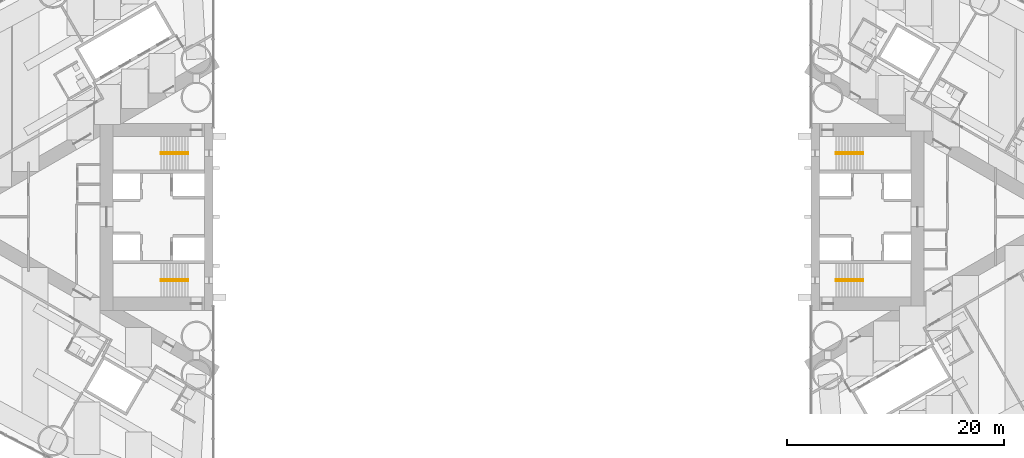
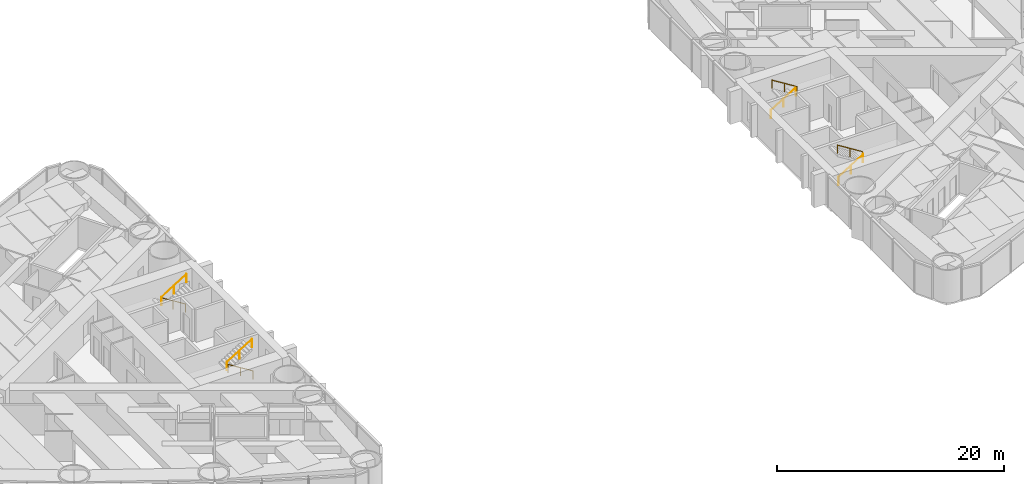
# One storey, part 18 of 19: 8 railings.
"""IFC4 building model written with IfcOpenShell, lengths in metres."""

from ifc_helpers import new_model, si_unit, direction, frame, origin, origin_2d, place, context, subcontext, project, spatial, circle, extrude, material, type_object, element, save


model = new_model("IFC4")

# Units and contexts
model_context = context("Model", 3, precision=1e-05, world=origin(), true_north=direction((0.0, 1.0)))
body_context = subcontext(model_context, "Body", "Model", "MODEL_VIEW")
ifc_project = project(units=[si_unit("LENGTHUNIT", "METRE"), si_unit("AREAUNIT", "SQUARE_METRE"), si_unit("VOLUMEUNIT", "CUBIC_METRE"), si_unit("PLANEANGLEUNIT", "RADIAN"), si_unit("MASSUNIT", "GRAM", prefix="KILO")], contexts=[model_context])

# Site, building, storey
site_placement = place(None, origin())
site = spatial("IfcSite", under=ifc_project, at=site_placement, CompositionType="ELEMENT")
building_placement = place(site_placement, origin())
building = spatial("IfcBuilding", under=site, at=building_placement, Name="Lancet Gate Hotel", CompositionType="ELEMENT")
storey_placement = place(building_placement, frame((0.0, 0.0, 70.5)))
storey = spatial("IfcBuildingStorey", under=building, at=storey_placement, Name="L18", CompositionType="ELEMENT", Elevation=70.5)

# Railings
ifc_material = material(Name="Stainless steel handrail", Category="steel")
railing_type = type_object("IfcRailingType", Name="Stair handrail 900", PredefinedType="HANDRAIL", material=ifc_material)
railing_1_placement = place(storey_placement, frame((-29.800048828125, 5.929931640625, 0.175048828125)))
element("IfcRailing", 1, at=railing_1_placement, inside=storey, type_object=railing_type, Name="ST1 handrail flight 1 L18", PredefinedType="HANDRAIL", context=body_context, shape_type="SweptSolid", body=[
    extrude(circle(Radius=0.02392578125, at=origin_2d()), frame((0.0, 0.0, 0.8759765625), z_axis=(-0.848007534815, 0.0, 0.529984170421), x_axis=(0.0, -1.0, 0.0)), (0.0, 0.0, 1.0), 2.9716796875),
    extrude(circle(Radius=0.02099609375, at=origin_2d()), origin(), (0.0, 0.0, 1.0), 0.851806640625),
    extrude(circle(Radius=0.02099609375, at=origin_2d()), frame((-1.260009765625, 0.0, 0.78759765625)), (0.0, 0.0, 1.0), 0.851806640625),
    extrude(circle(Radius=0.02099609375, at=origin_2d()), frame((-2.52001953125, 0.0, 1.574951171875)), (0.0, 0.0, 1.0), 0.851806640625),
])
railing_2_placement = place(storey_placement, frame((-32.320068359375, 5.77001953125, 1.925048828125)))
element("IfcRailing", 2, at=railing_2_placement, inside=storey, type_object=railing_type, Name="ST1 handrail flight 2 L18", PredefinedType="HANDRAIL", context=body_context, shape_type="SweptSolid", body=[
    extrude(circle(Radius=0.02392578125, at=origin_2d()), frame((0.0, 0.0, 0.8759765625), z_axis=(0.848007534815, 0.0, 0.529984170421), x_axis=(0.0, 1.0, 0.0)), (0.0, 0.0, 1.0), 2.9716796875),
    extrude(circle(Radius=0.02099609375, at=origin_2d()), origin(), (0.0, 0.0, 1.0), 0.851806640625),
    extrude(circle(Radius=0.02099609375, at=origin_2d()), frame((1.260009765625, 0.0, 0.78759765625)), (0.0, 0.0, 1.0), 0.851806640625),
    extrude(circle(Radius=0.02099609375, at=origin_2d()), frame((2.52001953125, 0.0, 1.574951171875)), (0.0, 0.0, 1.0), 0.851806640625),
])
railing_3_placement = place(storey_placement, frame((-29.800048828125, -5.929931640625, 0.175048828125)))
element("IfcRailing", 3, at=railing_3_placement, inside=storey, type_object=railing_type, Name="ST2 handrail flight 1 L18", PredefinedType="HANDRAIL", context=body_context, shape_type="SweptSolid", body=[
    extrude(circle(Radius=0.02392578125, at=origin_2d()), frame((0.0, 0.0, 0.8759765625), z_axis=(-0.848007534815, 0.0, 0.529984170421), x_axis=(0.0, -1.0, 0.0)), (0.0, 0.0, 1.0), 2.9716796875),
    extrude(circle(Radius=0.02099609375, at=origin_2d()), origin(), (0.0, 0.0, 1.0), 0.851806640625),
    extrude(circle(Radius=0.02099609375, at=origin_2d()), frame((-1.260009765625, 0.0, 0.78759765625)), (0.0, 0.0, 1.0), 0.851806640625),
    extrude(circle(Radius=0.02099609375, at=origin_2d()), frame((-2.52001953125, 0.0, 1.574951171875)), (0.0, 0.0, 1.0), 0.851806640625),
])
for number, where, name in (
    (4, (-32.320068359375, -5.77001953125, 1.925048828125), "ST2 handrail flight 2 L18"),
    (5, (29.800048828125, -5.929931640625, 0.175048828125), "ST3 handrail flight 1 L18"),
):
    element("IfcRailing", number, at=place(storey_placement, frame(where)), inside=storey, type_object=railing_type, Name=name, PredefinedType="HANDRAIL", context=body_context, shape_type="SweptSolid", body=[
        extrude(circle(Radius=0.02392578125, at=origin_2d()), frame((0.0, 0.0, 0.8759765625), z_axis=(0.848007534815, 0.0, 0.529984170421), x_axis=(0.0, 1.0, 0.0)), (0.0, 0.0, 1.0), 2.9716796875),
        extrude(circle(Radius=0.02099609375, at=origin_2d()), origin(), (0.0, 0.0, 1.0), 0.851806640625),
        extrude(circle(Radius=0.02099609375, at=origin_2d()), frame((1.260009765625, 0.0, 0.78759765625)), (0.0, 0.0, 1.0), 0.851806640625),
        extrude(circle(Radius=0.02099609375, at=origin_2d()), frame((2.52001953125, 0.0, 1.574951171875)), (0.0, 0.0, 1.0), 0.851806640625),
    ])
railing_4_placement = place(storey_placement, frame((32.320068359375, -5.77001953125, 1.925048828125)))
element("IfcRailing", 6, at=railing_4_placement, inside=storey, type_object=railing_type, Name="ST3 handrail flight 2 L18", PredefinedType="HANDRAIL", context=body_context, shape_type="SweptSolid", body=[
    extrude(circle(Radius=0.02392578125, at=origin_2d()), frame((0.0, 0.0, 0.8759765625), z_axis=(-0.848007534815, 0.0, 0.529984170421), x_axis=(0.0, -1.0, 0.0)), (0.0, 0.0, 1.0), 2.9716796875),
    extrude(circle(Radius=0.02099609375, at=origin_2d()), origin(), (0.0, 0.0, 1.0), 0.851806640625),
    extrude(circle(Radius=0.02099609375, at=origin_2d()), frame((-1.260009765625, 0.0, 0.78759765625)), (0.0, 0.0, 1.0), 0.851806640625),
    extrude(circle(Radius=0.02099609375, at=origin_2d()), frame((-2.52001953125, 0.0, 1.574951171875)), (0.0, 0.0, 1.0), 0.851806640625),
])
railing_5_placement = place(storey_placement, frame((29.800048828125, 5.929931640625, 0.175048828125)))
element("IfcRailing", 7, at=railing_5_placement, inside=storey, type_object=railing_type, Name="ST4 handrail flight 1 L18", PredefinedType="HANDRAIL", context=body_context, shape_type="SweptSolid", body=[
    extrude(circle(Radius=0.02392578125, at=origin_2d()), frame((0.0, 0.0, 0.8759765625), z_axis=(0.848007534815, 0.0, 0.529984170421), x_axis=(0.0, 1.0, 0.0)), (0.0, 0.0, 1.0), 2.9716796875),
    extrude(circle(Radius=0.02099609375, at=origin_2d()), origin(), (0.0, 0.0, 1.0), 0.851806640625),
    extrude(circle(Radius=0.02099609375, at=origin_2d()), frame((1.260009765625, 0.0, 0.78759765625)), (0.0, 0.0, 1.0), 0.851806640625),
    extrude(circle(Radius=0.02099609375, at=origin_2d()), frame((2.52001953125, 0.0, 1.574951171875)), (0.0, 0.0, 1.0), 0.851806640625),
])
railing_6_placement = place(storey_placement, frame((32.320068359375, 5.77001953125, 1.925048828125)))
element("IfcRailing", 8, at=railing_6_placement, inside=storey, type_object=railing_type, Name="ST4 handrail flight 2 L18", PredefinedType="HANDRAIL", context=body_context, shape_type="SweptSolid", body=[
    extrude(circle(Radius=0.02392578125, at=origin_2d()), frame((0.0, 0.0, 0.8759765625), z_axis=(-0.848007534815, 0.0, 0.529984170421), x_axis=(0.0, -1.0, 0.0)), (0.0, 0.0, 1.0), 2.9716796875),
    extrude(circle(Radius=0.02099609375, at=origin_2d()), origin(), (0.0, 0.0, 1.0), 0.851806640625),
    extrude(circle(Radius=0.02099609375, at=origin_2d()), frame((-1.260009765625, 0.0, 0.78759765625)), (0.0, 0.0, 1.0), 0.851806640625),
    extrude(circle(Radius=0.02099609375, at=origin_2d()), frame((-2.52001953125, 0.0, 1.574951171875)), (0.0, 0.0, 1.0), 0.851806640625),
])

save(model, "model.ifc")
